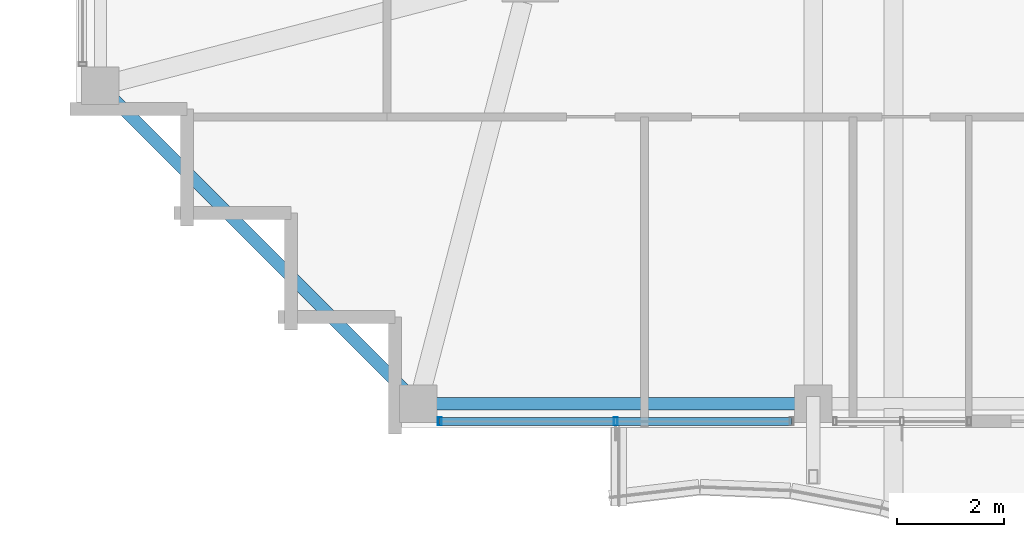
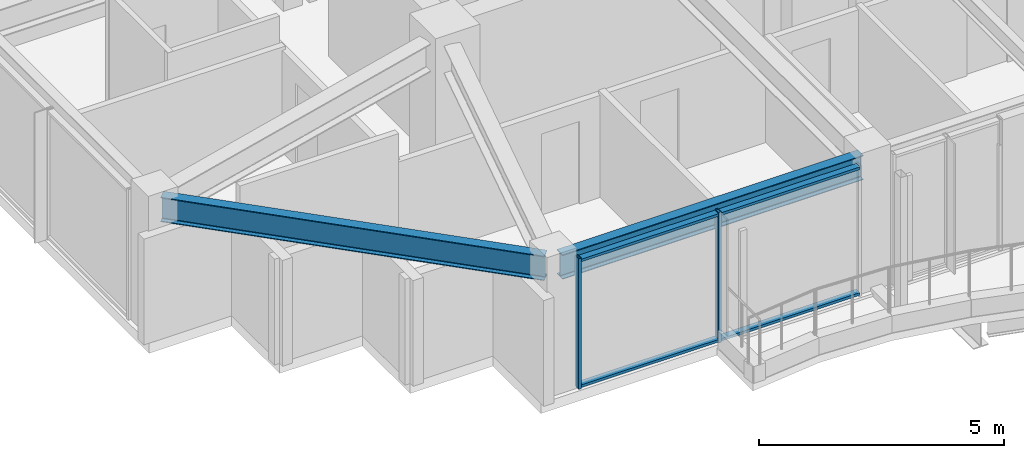
# One storey, part 2 of 31: 4 members, 2 beams, 1 element without a shape of its own.
"""IFC4 building model written with IfcOpenShell, lengths in metres."""

from ifc_helpers import new_model, si_unit, direction, frame, origin, origin_2d, place, context, subcontext, project, spatial, hollow_rectangle, i_section, extrude, material, material_profile, profile_set, type_object, element, aggregate, save


model = new_model("IFC4")

# Units and contexts
model_context = context("Model", 3, precision=1e-05, world=origin(), true_north=direction((0.0, 1.0)))
body_context = subcontext(model_context, "Body", "Model", "MODEL_VIEW")
ifc_project = project(units=[si_unit("LENGTHUNIT", "METRE"), si_unit("AREAUNIT", "SQUARE_METRE"), si_unit("VOLUMEUNIT", "CUBIC_METRE"), si_unit("PLANEANGLEUNIT", "RADIAN"), si_unit("MASSUNIT", "GRAM", prefix="KILO")], contexts=[model_context])

# Site, building, storey
site_placement = place(None, origin())
site = spatial("IfcSite", under=ifc_project, at=site_placement, CompositionType="ELEMENT")
building_placement = place(site_placement, origin())
building = spatial("IfcBuilding", under=site, at=building_placement, Name="Kolvaren Belvedere", CompositionType="ELEMENT")
storey_placement = place(building_placement, frame((0.0, 0.0, 247.89990234375)))
storey = spatial("IfcBuildingStorey", under=building, at=storey_placement, Name="L72", CompositionType="ELEMENT", Elevation=247.89990234375)

# Beams
ifc_material_1 = material(Name="Structural steel ASTM A992 Grade 50", Category="steel")
ifc_material_profile_1 = material_profile(ifc_material_1, i_section(OverallWidth=0.22900390625, OverallDepth=0.612060546875, WebThickness=0.011962890625, FlangeThickness=0.01953125, FilletRadius=0.01806640625, at=origin_2d()), Name="W24X84")
ifc_profile_set_1 = profile_set([ifc_material_profile_1], Name="Structural steel ASTM A992 Grade 50")
beam_type = type_object("IfcBeamType", Name="BM-SPAN-W24X84", PredefinedType="SPANDREL", material=ifc_profile_set_1)
beam_1_placement = place(storey_placement, frame((-11.842529296875, -17.949951171875, 2.944091796875), z_axis=(1.0, 0.0, 0.0), x_axis=(0.0, 1.0, 0.0)))
element("IfcBeam", 1, at=beam_1_placement, inside=storey, type_object=beam_type, Name="L72 Perimeter Spandrel S1-S2", PredefinedType="SPANDREL", context=body_context, shape_type="SweptSolid", body=[
    extrude(i_section(OverallWidth=0.22900390625, OverallDepth=0.612060546875, WebThickness=0.011962890625, FlangeThickness=0.01953125, FilletRadius=0.01806640625, at=origin_2d()), origin(), (0.0, 0.0, 1.0), 7.0849609375),
])
beam_2_placement = place(storey_placement, frame((-17.838623046875, -12.111328125, 2.944091796875), z_axis=(0.707106781187, -0.707106781187, 0.0), x_axis=(0.707106781187, 0.707106781187, 0.0)))
element("IfcBeam", 2, at=beam_2_placement, inside=storey, type_object=beam_type, Name="L72 Perimeter Spandrel W1-S1", PredefinedType="SPANDREL", context=body_context, shape_type="SweptSolid", body=[
    extrude(i_section(OverallWidth=0.22900390625, OverallDepth=0.612060546875, WebThickness=0.011962890625, FlangeThickness=0.01953125, FilletRadius=0.01806640625, at=origin_2d()), origin(), (0.0, 0.0, 1.0), 8.099609375),
])

# Curtain wall, members
ifc_material_2 = material(Name="Anodised pale-metal aluminium AA 6063-T6", Category="aluminium")
curtain_wall_type = type_object("IfcCurtainWallType", Name="CW-Z5-HIGH", PredefinedType="NOTDEFINED", material=ifc_material_2)
curtain_wall_placement = place(storey_placement, origin())
curtain_wall = element("IfcCurtainWall", 3, at=curtain_wall_placement, inside=storey, type_object=curtain_wall_type, Name="L72 Unitised Curtain Wall FCW-L72-S2-B2", PredefinedType="NOTDEFINED")
ifc_material_3 = material(Name="Anodised pale-metal aluminium AA 6063-T6", Category="aluminium")
ifc_material_profile_2 = material_profile(ifc_material_3, hollow_rectangle(XDim=0.070068359375, YDim=0.14990234375, WallThickness=0.004150390625, at=origin_2d()), Name="ALU-MUL-150X70")
ifc_profile_set_2 = profile_set([ifc_material_profile_2], Name="Anodised pale-metal aluminium AA 6063-T6")
member_type_1 = type_object("IfcMemberType", Name="CW-MUL-150", PredefinedType="MULLION", material=ifc_profile_set_2)
member_1_placement = place(storey_placement, frame((-8.300048828125, -18.280029296875, 0.0), z_axis=(0.0, 0.0, 1.0), x_axis=(1.0, 0.0, 0.0)))
member_1 = element("IfcMember", 4, at=member_1_placement, type_object=member_type_1, Name="FCW-L72-S2-B2 Unitised Mullion 2", PredefinedType="MULLION", context=body_context, shape_type="SweptSolid", body=[
    extrude(hollow_rectangle(XDim=0.070068359375, YDim=0.14990234375, WallThickness=0.004150390625, at=origin_2d()), origin(), (0.0, 0.0, 1.0), 3.25),
])
member_2_placement = place(storey_placement, frame((-11.594970703125, -18.280029296875, 0.0), z_axis=(0.0, 0.0, 1.0), x_axis=(1.0, 0.0, 0.0)))
member_2 = element("IfcMember", 5, at=member_2_placement, type_object=member_type_1, Name="FCW-L72-S2-B2 Unitised Mullion 3", PredefinedType="MULLION", context=body_context, shape_type="SweptSolid", body=[
    extrude(hollow_rectangle(XDim=0.070068359375, YDim=0.14990234375, WallThickness=0.004150390625, at=origin_2d()), origin(), (0.0, 0.0, 1.0), 3.25),
])
ifc_material_4 = material(Name="Anodised pale-metal aluminium AA 6063-T6", Category="aluminium")
ifc_material_profile_3 = material_profile(ifc_material_4, hollow_rectangle(XDim=0.06494140625, YDim=0.14990234375, WallThickness=0.00390625, at=origin_2d()), Name="ALU-TRN-150X65")
ifc_profile_set_3 = profile_set([ifc_material_profile_3], Name="Anodised pale-metal aluminium AA 6063-T6")
member_type_2 = type_object("IfcMemberType", Name="CW-TRN-150", PredefinedType="USERDEFINED", material=ifc_profile_set_3)
member_3_placement = place(storey_placement, frame((-5.0048828125, -18.280029296875, 0.06005859375), z_axis=(-1.0, 0.0, 0.0), x_axis=(0.0, 0.0, 1.0)))
member_3 = element("IfcMember", 6, at=member_3_placement, type_object=member_type_2, Name="FCW-L72-S2-B2 Sill Transom", ObjectType="TRANSOM", PredefinedType="USERDEFINED", context=body_context, shape_type="SweptSolid", body=[
    extrude(hollow_rectangle(XDim=0.06494140625, YDim=0.14990234375, WallThickness=0.00390625, at=origin_2d()), origin(), (0.0, 0.0, 1.0), 6.590087890625),
])
member_4_placement = place(storey_placement, frame((-5.0048828125, -18.280029296875, 3.190185546875), z_axis=(-1.0, 0.0, 0.0), x_axis=(0.0, 0.0, 1.0)))
member_4 = element("IfcMember", 7, at=member_4_placement, type_object=member_type_2, Name="FCW-L72-S2-B2 Head Transom", ObjectType="TRANSOM", PredefinedType="USERDEFINED", context=body_context, shape_type="SweptSolid", body=[
    extrude(hollow_rectangle(XDim=0.06494140625, YDim=0.14990234375, WallThickness=0.00390625, at=origin_2d()), origin(), (0.0, 0.0, 1.0), 6.590087890625),
])
aggregate(curtain_wall, [member_1, member_2, member_3, member_4])

save(model, "model.ifc")
